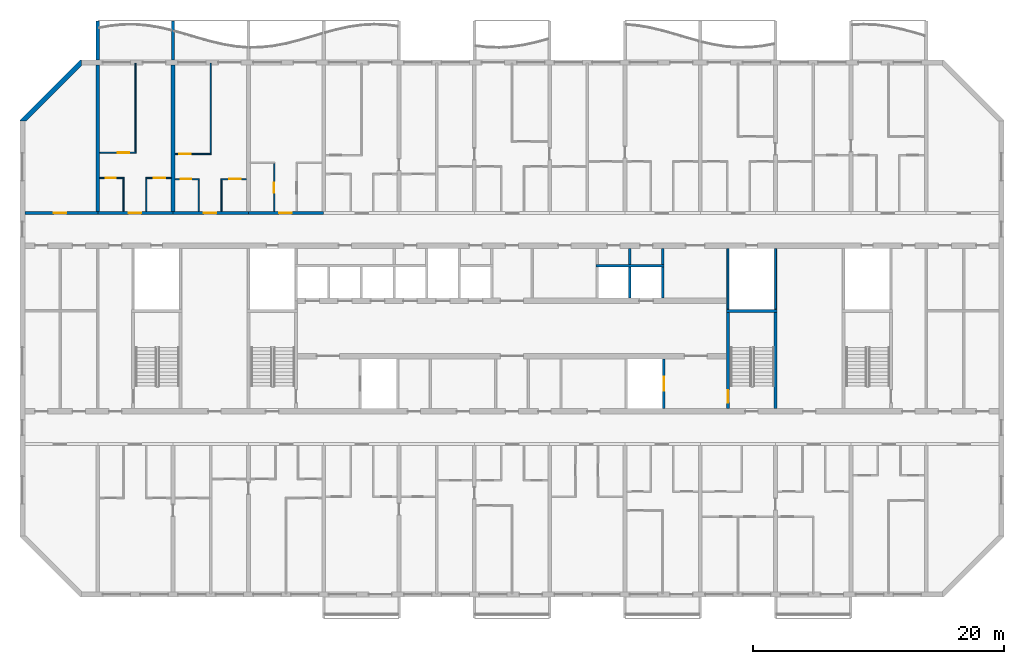
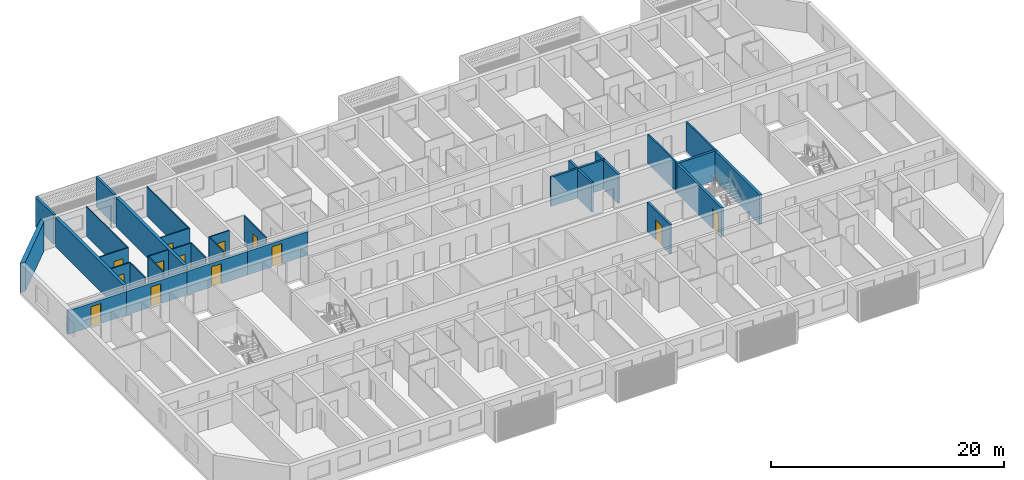
# One storey, part 8 of 32: 33 walls, 13 doors, 13 openings.
"""IFC4 building model written with IfcOpenShell, lengths in metres."""

from ifc_helpers import new_model, si_unit, direction, frame, frame_2d, origin, place, context, subcontext, project, spatial, polyline, rectangle, outline, extrude, source, transform, mapped, material, layer, layer_set, type_object, element, fill, save


model = new_model("IFC4")

# Units and contexts
model_context = context("Model", 3, precision=1e-05, world=origin(), true_north=direction((0.0, 1.0)))
body_context = subcontext(model_context, "Body", "Model", "MODEL_VIEW")
ifc_project = project(units=[si_unit("LENGTHUNIT", "METRE"), si_unit("AREAUNIT", "SQUARE_METRE"), si_unit("VOLUMEUNIT", "CUBIC_METRE"), si_unit("PLANEANGLEUNIT", "RADIAN"), si_unit("MASSUNIT", "GRAM", prefix="KILO")], contexts=[model_context])

# Site, building, storey
site_placement = place(None, origin())
site = spatial("IfcSite", under=ifc_project, at=site_placement, CompositionType="ELEMENT")
building_placement = place(site_placement, origin())
building = spatial("IfcBuilding", under=site, at=building_placement, Name="Poui Terraces", CompositionType="ELEMENT")
storey_placement = place(building_placement, frame((0.0, 0.0, 125.699951171875)))
storey = spatial("IfcBuildingStorey", under=building, at=storey_placement, Name="L34", CompositionType="ELEMENT", Elevation=125.699951171875)

# Wall, opening, door
ifc_material_1 = material(Name="Concrete 65 MPa", Category="concrete")
ifc_layer_1 = layer(ifc_material_1, 0.25)
ifc_layer_set_1 = layer_set([ifc_layer_1], Name="Concrete 65 MPa")
wall_type_1 = type_object("IfcWallType", Name="CORRIDOR WALL 250 65MPa", PredefinedType="SHEAR", material=ifc_layer_set_1)
wall_1_placement = place(storey_placement, frame((12.199951171875, 30.39990234375, 0.0), z_axis=(0.0, 0.0, 1.0), x_axis=(1.0, 0.0, 0.0)))
wall_1 = element("IfcWall", 1, at=wall_1_placement, inside=storey, type_object=wall_type_1, Name="CORRIDOR WALL LINE E BAY 1", PredefinedType="SHEAR", context=body_context, shape_type="SweptSolid", body=[
    extrude(rectangle(XDim=5.800048828125, YDim=0.25, at=frame_2d((2.89990234375, 0.0))), origin(), (0.0, 0.0, 1.0), 2.469970703125),
])
opening_1_placement = place(wall_1_placement, frame((2.300048828125, 0.0, 0.0)))
opening_1 = element("IfcOpeningElement", 2, at=opening_1_placement, cuts=wall_1, Name="Opening D100", PredefinedType="OPENING", context=body_context, shape_type="SweptSolid", body=[
    extrude(rectangle(XDim=1.0, YDim=2.10009765625, at=frame_2d((0.5, 1.050048828125))), frame((0.0, 0.135009765625, 0.0), z_axis=(0.0, -1.0, 0.0), x_axis=(1.0, 0.0, 0.0)), (0.0, 0.0, 1.0), 0.27001953125),
])
ifc_material_2 = material(Name="Solid core timber door", Category="wood")
door_type_1 = type_object("IfcDoorType", Name="ACCESSIBLE INTERNAL DOOR 1000 X 2100", OperationType="NOTDEFINED", PredefinedType="DOOR", material=ifc_material_2)
door_1_placement = place(opening_1_placement, origin())
door_1 = element("IfcDoor", 3, at=door_1_placement, inside=storey, type_object=door_type_1, Name="ACCESSIBLE INTERNAL DOOR 034", OperationType="SINGLE_SWING_LEFT", OverallHeight=2.10009765625, OverallWidth=1.0, PredefinedType="DOOR", context=body_context, shape_type="SweptSolid", body=[
    extrude(rectangle(XDim=1.0, YDim=2.10009765625, at=frame_2d((0.5, 1.050048828125))), frame((0.0, 0.02490234375, 0.0), z_axis=(0.0, -1.0, 0.0), x_axis=(1.0, 0.0, 0.0)), (0.0, 0.0, 1.0), 0.050048828125),
])
fill(opening_1, door_1)

wall_2_placement = place(storey_placement, frame((18.0, 30.39990234375, 0.0), z_axis=(0.0, 0.0, 1.0), x_axis=(1.0, 0.0, 0.0)))
wall_2 = element("IfcWall", 4, at=wall_2_placement, inside=storey, type_object=wall_type_1, Name="CORRIDOR WALL LINE E BAY 2", PredefinedType="SHEAR", context=body_context, shape_type="SweptSolid", body=[
    extrude(rectangle(XDim=6.0, YDim=0.25, at=frame_2d((3.0, 0.0))), origin(), (0.0, 0.0, 1.0), 2.469970703125),
])
opening_2_placement = place(wall_2_placement, frame((2.449951171875, 0.0, 0.0)))
opening_2 = element("IfcOpeningElement", 5, at=opening_2_placement, cuts=wall_2, Name="Opening FD30S", PredefinedType="OPENING", context=body_context, shape_type="SweptSolid", body=[
    extrude(rectangle(XDim=1.0, YDim=2.10009765625, at=frame_2d((0.5, 1.050048828125))), frame((0.0, 0.135009765625, 0.0), z_axis=(0.0, -1.0, 0.0), x_axis=(1.0, 0.0, 0.0)), (0.0, 0.0, 1.0), 0.27001953125),
])
ifc_material_3 = material(Name="Steel fire door", Category="steel")
door_type_2 = type_object("IfcDoorType", Name="FLAT ENTRANCE DOOR 1000 X 2100", OperationType="NOTDEFINED", PredefinedType="DOOR", material=ifc_material_3)
door_2_placement = place(opening_2_placement, origin())
door_2 = element("IfcDoor", 6, at=door_2_placement, inside=storey, type_object=door_type_2, Name="FLAT ENTRANCE DOOR 037", OperationType="SINGLE_SWING_LEFT", OverallHeight=2.10009765625, OverallWidth=1.0, PredefinedType="DOOR", context=body_context, shape_type="SweptSolid", body=[
    extrude(rectangle(XDim=1.0, YDim=2.10009765625, at=frame_2d((0.5, 1.050048828125))), frame((0.0, 0.02490234375, 0.0), z_axis=(0.0, -1.0, 0.0), x_axis=(1.0, 0.0, 0.0)), (0.0, 0.0, 1.0), 0.050048828125),
])
fill(opening_2, door_2)

wall_3_placement = place(storey_placement, frame((24.0, 30.39990234375, 0.0), z_axis=(0.0, 0.0, 1.0), x_axis=(1.0, 0.0, 0.0)))
wall_3 = element("IfcWall", 7, at=wall_3_placement, inside=storey, type_object=wall_type_1, Name="CORRIDOR WALL LINE E BAY 3", PredefinedType="SHEAR", context=body_context, shape_type="SweptSolid", body=[
    extrude(rectangle(XDim=6.0, YDim=0.25, at=frame_2d((3.0, 0.0))), origin(), (0.0, 0.0, 1.0), 2.469970703125),
])
opening_3_placement = place(wall_3_placement, frame((2.449951171875, 0.0, 0.0)))
opening_3 = element("IfcOpeningElement", 8, at=opening_3_placement, cuts=wall_3, Name="Opening FD30S", PredefinedType="OPENING", context=body_context, shape_type="SweptSolid", body=[
    extrude(rectangle(XDim=1.0, YDim=2.10009765625, at=frame_2d((0.5, 1.050048828125))), frame((0.0, 0.135009765625, 0.0), z_axis=(0.0, -1.0, 0.0), x_axis=(1.0, 0.0, 0.0)), (0.0, 0.0, 1.0), 0.27001953125),
])
door_3_placement = place(opening_3_placement, origin())
door_3 = element("IfcDoor", 9, at=door_3_placement, inside=storey, type_object=door_type_2, Name="FLAT ENTRANCE DOOR 041", OperationType="SINGLE_SWING_LEFT", OverallHeight=2.10009765625, OverallWidth=1.0, PredefinedType="DOOR", context=body_context, shape_type="SweptSolid", body=[
    extrude(rectangle(XDim=1.0, YDim=2.10009765625, at=frame_2d((0.5, 1.050048828125))), frame((0.0, 0.02490234375, 0.0), z_axis=(0.0, -1.0, 0.0), x_axis=(1.0, 0.0, 0.0)), (0.0, 0.0, 1.0), 0.050048828125),
])
fill(opening_3, door_3)

wall_4_placement = place(storey_placement, frame((30.0, 30.39990234375, 0.0), z_axis=(0.0, 0.0, 1.0), x_axis=(1.0, 0.0, 0.0)))
wall_4 = element("IfcWall", 10, at=wall_4_placement, inside=storey, type_object=wall_type_1, Name="CORRIDOR WALL LINE E BAY 4", PredefinedType="SHEAR", context=body_context, shape_type="SweptSolid", body=[
    extrude(rectangle(XDim=6.0, YDim=0.25, at=frame_2d((3.0, 0.0))), origin(), (0.0, 0.0, 1.0), 2.469970703125),
])
opening_4_placement = place(wall_4_placement, frame((2.449951171875, 0.0, 0.0)))
opening_4 = element("IfcOpeningElement", 11, at=opening_4_placement, cuts=wall_4, Name="Opening FD30S", PredefinedType="OPENING", context=body_context, shape_type="SweptSolid", body=[
    extrude(rectangle(XDim=1.0, YDim=2.10009765625, at=frame_2d((0.5, 1.050048828125))), frame((0.0, 0.135009765625, 0.0), z_axis=(0.0, -1.0, 0.0), x_axis=(1.0, 0.0, 0.0)), (0.0, 0.0, 1.0), 0.27001953125),
])
door_4_placement = place(opening_4_placement, origin())
door_4 = element("IfcDoor", 12, at=door_4_placement, inside=storey, type_object=door_type_2, Name="FLAT ENTRANCE DOOR 044", OperationType="SINGLE_SWING_LEFT", OverallHeight=2.10009765625, OverallWidth=1.0, PredefinedType="DOOR", context=body_context, shape_type="SweptSolid", body=[
    extrude(rectangle(XDim=1.0, YDim=2.10009765625, at=frame_2d((0.5, 1.050048828125))), frame((0.0, 0.02490234375, 0.0), z_axis=(0.0, -1.0, 0.0), x_axis=(1.0, 0.0, 0.0)), (0.0, 0.0, 1.0), 0.050048828125),
])
fill(opening_4, door_4)

# Walls
ifc_layer_2 = layer(ifc_material_1, 0.300048828125)
ifc_layer_set_2 = layer_set([ifc_layer_2], Name="Concrete 65 MPa")
wall_type_2 = type_object("IfcWallType", Name="CROSS WALL 300 65MPa", PredefinedType="SHEAR", material=ifc_layer_set_2)
for number, where, z_axis, x_axis, name in (
    (13, (18.0, 30.52490234375, 0.0), (0.0, 0.0, 1.0), (0.0, 1.0, 0.0), "CROSS WALL LINE 4 NORTH"),
    (14, (24.0, 30.52490234375, 0.0), (0.0, 0.0, 1.0), (0.0, 1.0, 0.0), "CROSS WALL LINE 5 NORTH"),
):
    element("IfcWall", number, at=place(storey_placement, frame(where, z_axis=z_axis, x_axis=x_axis)), inside=storey, type_object=wall_type_2, Name=name, PredefinedType="SHEAR", context=body_context, shape_type="SweptSolid", body=[
        extrude(rectangle(XDim=11.675048828125, YDim=0.300048828125, at=frame_2d((5.83740234375, 0.0))), origin(), (0.0, 0.0, 1.0), 3.070068359375),
    ])

# Wall, opening, door
ifc_material_4 = material(Name="Plasterboard partition")
ifc_layer_3 = layer(ifc_material_4, 0.10009765625)
ifc_layer_set_3 = layer_set([ifc_layer_3], Name="Plasterboard partition")
wall_type_3 = type_object("IfcWallType", Name="FLAT PARTITION 100", PredefinedType="PARTITIONING", material=ifc_layer_set_3)
wall_5_placement = place(storey_placement, frame((24.159912109375, 33.10009765625, 0.0), z_axis=(0.0, 0.0, 1.0), x_axis=(1.0, 0.0, 0.0)))
wall_5 = element("IfcWall", 15, at=wall_5_placement, inside=storey, type_object=wall_type_3, Name="FLAT PARTITION 100", PredefinedType="PARTITIONING", context=body_context, shape_type="SweptSolid", body=[
    extrude(rectangle(XDim=1.940185546875, YDim=0.10009765625, at=frame_2d((0.97021484375, 0.0))), origin(), (0.0, 0.0, 1.0), 3.070068359375),
])
opening_5_placement = place(wall_5_placement, frame((0.465087890625, 0.0, 0.0)))
opening_5 = element("IfcOpeningElement", 16, at=opening_5_placement, cuts=wall_5, Name="Opening D80", PredefinedType="OPENING", context=body_context, shape_type="SweptSolid", body=[
    extrude(rectangle(XDim=0.800048828125, YDim=2.10009765625, at=frame_2d((0.39990234375, 1.050048828125))), frame((0.0, 0.06005859375, 0.0), z_axis=(0.0, -1.0, 0.0), x_axis=(1.0, 0.0, 0.0)), (0.0, 0.0, 1.0), 0.1201171875),
])
door_type_3 = type_object("IfcDoorType", Name="BATHROOM, LAUNDRY AND STORE DOOR 800 X 2100", OperationType="NOTDEFINED", PredefinedType="DOOR", material=ifc_material_2)
door_5_placement = place(opening_5_placement, frame((0.800048828125, 0.0, 0.0), z_axis=(0.0, 0.0, 1.0), x_axis=(-1.0, 0.0, 0.0)))
door_5 = element("IfcDoor", 17, at=door_5_placement, inside=storey, type_object=door_type_3, Name="BATHROOM, LAUNDRY AND STORE DOOR 040", OperationType="SINGLE_SWING_RIGHT", OverallHeight=2.10009765625, OverallWidth=0.800048828125, PredefinedType="DOOR", context=body_context, shape_type="SweptSolid", body=[
    extrude(rectangle(XDim=0.800048828125, YDim=2.10009765625, at=frame_2d((0.39990234375, 1.050048828125))), frame((0.0, 0.02490234375, 0.0), z_axis=(0.0, -1.0, 0.0), x_axis=(1.0, 0.0, 0.0)), (0.0, 0.0, 1.0), 0.050048828125),
])
fill(opening_5, door_5)

wall_6_placement = place(storey_placement, frame((27.800048828125, 33.10009765625, 0.0), z_axis=(0.0, 0.0, 1.0), x_axis=(1.0, 0.0, 0.0)))
wall_6 = element("IfcWall", 18, at=wall_6_placement, inside=storey, type_object=wall_type_3, Name="FLAT PARTITION 100", PredefinedType="PARTITIONING", context=body_context, shape_type="SweptSolid", body=[
    extrude(rectangle(XDim=2.0400390625, YDim=0.10009765625, at=frame_2d((1.02001953125, 0.0))), origin(), (0.0, 0.0, 1.0), 3.070068359375),
])
opening_6_placement = place(wall_6_placement, frame((0.675048828125, 0.0, 0.0)))
opening_6 = element("IfcOpeningElement", 19, at=opening_6_placement, cuts=wall_6, Name="Opening D90", PredefinedType="OPENING", context=body_context, shape_type="SweptSolid", body=[
    extrude(rectangle(XDim=0.89990234375, YDim=2.10009765625, at=frame_2d((0.449951171875, 1.050048828125))), frame((0.0, 0.06005859375, 0.0), z_axis=(0.0, -1.0, 0.0), x_axis=(1.0, 0.0, 0.0)), (0.0, 0.0, 1.0), 0.1201171875),
])
door_type_4 = type_object("IfcDoorType", Name="INTERNAL DOOR 900 X 2100", OperationType="NOTDEFINED", PredefinedType="DOOR", material=ifc_material_2)
door_6_placement = place(opening_6_placement, frame((0.89990234375, 0.0, 0.0), z_axis=(0.0, 0.0, 1.0), x_axis=(-1.0, 0.0, 0.0)))
door_6 = element("IfcDoor", 20, at=door_6_placement, inside=storey, type_object=door_type_4, Name="INTERNAL DOOR 042", OperationType="SINGLE_SWING_LEFT", OverallHeight=2.10009765625, OverallWidth=0.89990234375, PredefinedType="DOOR", context=body_context, shape_type="SweptSolid", body=[
    extrude(rectangle(XDim=0.89990234375, YDim=2.10009765625, at=frame_2d((0.449951171875, 1.050048828125))), frame((0.0, 0.02490234375, 0.0), z_axis=(0.0, -1.0, 0.0), x_axis=(1.0, 0.0, 0.0)), (0.0, 0.0, 1.0), 0.050048828125),
])
fill(opening_6, door_6)

wall_7_placement = place(storey_placement, frame((18.159912109375, 33.199951171875, 0.0), z_axis=(0.0, 0.0, 1.0), x_axis=(1.0, 0.0, 0.0)))
wall_7 = element("IfcWall", 21, at=wall_7_placement, inside=storey, type_object=wall_type_3, Name="FLAT PARTITION 100", PredefinedType="PARTITIONING", context=body_context, shape_type="SweptSolid", body=[
    extrude(rectangle(XDim=1.940185546875, YDim=0.10009765625, at=frame_2d((0.97021484375, 0.0))), origin(), (0.0, 0.0, 1.0), 3.070068359375),
])
opening_7_placement = place(wall_7_placement, frame((0.465087890625, 0.0, 0.0)))
opening_7 = element("IfcOpeningElement", 22, at=opening_7_placement, cuts=wall_7, Name="Opening D80", PredefinedType="OPENING", context=body_context, shape_type="SweptSolid", body=[
    extrude(rectangle(XDim=0.800048828125, YDim=2.10009765625, at=frame_2d((0.39990234375, 1.050048828125))), frame((0.0, 0.06005859375, 0.0), z_axis=(0.0, -1.0, 0.0), x_axis=(1.0, 0.0, 0.0)), (0.0, 0.0, 1.0), 0.1201171875),
])
door_7_placement = place(opening_7_placement, frame((0.800048828125, 0.0, 0.0), z_axis=(0.0, 0.0, 1.0), x_axis=(-1.0, 0.0, 0.0)))
door_7 = element("IfcDoor", 23, at=door_7_placement, inside=storey, type_object=door_type_3, Name="BATHROOM, LAUNDRY AND STORE DOOR 035", OperationType="SINGLE_SWING_LEFT", OverallHeight=2.10009765625, OverallWidth=0.800048828125, PredefinedType="DOOR", context=body_context, shape_type="SweptSolid", body=[
    extrude(rectangle(XDim=0.800048828125, YDim=2.10009765625, at=frame_2d((0.39990234375, 1.050048828125))), frame((0.0, 0.02490234375, 0.0), z_axis=(0.0, -1.0, 0.0), x_axis=(1.0, 0.0, 0.0)), (0.0, 0.0, 1.0), 0.050048828125),
])
fill(opening_7, door_7)

wall_8_placement = place(storey_placement, frame((21.800048828125, 33.199951171875, 0.0), z_axis=(0.0, 0.0, 1.0), x_axis=(1.0, 0.0, 0.0)))
wall_8 = element("IfcWall", 24, at=wall_8_placement, inside=storey, type_object=wall_type_3, Name="FLAT PARTITION 100", PredefinedType="PARTITIONING", context=body_context, shape_type="SweptSolid", body=[
    extrude(rectangle(XDim=2.0400390625, YDim=0.10009765625, at=frame_2d((1.02001953125, 0.0))), origin(), (0.0, 0.0, 1.0), 3.070068359375),
])
opening_8_placement = place(wall_8_placement, frame((0.675048828125, 0.0, 0.0)))
opening_8 = element("IfcOpeningElement", 25, at=opening_8_placement, cuts=wall_8, Name="Opening D90", PredefinedType="OPENING", context=body_context, shape_type="SweptSolid", body=[
    extrude(rectangle(XDim=0.89990234375, YDim=2.10009765625, at=frame_2d((0.449951171875, 1.050048828125))), frame((0.0, 0.06005859375, 0.0), z_axis=(0.0, -1.0, 0.0), x_axis=(1.0, 0.0, 0.0)), (0.0, 0.0, 1.0), 0.1201171875),
])
door_8_placement = place(opening_8_placement, frame((0.89990234375, 0.0, 0.0), z_axis=(0.0, 0.0, 1.0), x_axis=(-1.0, 0.0, 0.0)))
door_8 = element("IfcDoor", 26, at=door_8_placement, inside=storey, type_object=door_type_4, Name="INTERNAL DOOR 038", OperationType="SINGLE_SWING_RIGHT", OverallHeight=2.10009765625, OverallWidth=0.89990234375, PredefinedType="DOOR", context=body_context, shape_type="SweptSolid", body=[
    extrude(rectangle(XDim=0.89990234375, YDim=2.10009765625, at=frame_2d((0.449951171875, 1.050048828125))), frame((0.0, 0.02490234375, 0.0), z_axis=(0.0, -1.0, 0.0), x_axis=(1.0, 0.0, 0.0)), (0.0, 0.0, 1.0), 0.050048828125),
])
fill(opening_8, door_8)

wall_9_placement = place(storey_placement, frame((24.159912109375, 35.10009765625, 0.0), z_axis=(0.0, 0.0, 1.0), x_axis=(1.0, 0.0, 0.0)))
wall_9 = element("IfcWall", 27, at=wall_9_placement, inside=storey, type_object=wall_type_3, Name="FLAT PARTITION 100", PredefinedType="PARTITIONING", context=body_context, shape_type="SweptSolid", body=[
    extrude(rectangle(XDim=2.89013671875, YDim=0.10009765625, at=frame_2d((1.445068359375, 0.0))), origin(), (0.0, 0.0, 1.0), 3.070068359375),
])
opening_9_placement = place(wall_9_placement, frame((0.340087890625, 0.0, 0.0)))
opening_9 = element("IfcOpeningElement", 28, at=opening_9_placement, cuts=wall_9, Name="Opening D90", PredefinedType="OPENING", context=body_context, shape_type="SweptSolid", body=[
    extrude(rectangle(XDim=0.89990234375, YDim=2.10009765625, at=frame_2d((0.449951171875, 1.050048828125))), frame((0.0, 0.06005859375, 0.0), z_axis=(0.0, -1.0, 0.0), x_axis=(1.0, 0.0, 0.0)), (0.0, 0.0, 1.0), 0.1201171875),
])
door_9_placement = place(opening_9_placement, frame((0.89990234375, 0.0, 0.0), z_axis=(0.0, 0.0, 1.0), x_axis=(-1.0, 0.0, 0.0)))
door_9 = element("IfcDoor", 29, at=door_9_placement, inside=storey, type_object=door_type_4, Name="INTERNAL DOOR 039", OperationType="SINGLE_SWING_LEFT", OverallHeight=2.10009765625, OverallWidth=0.89990234375, PredefinedType="DOOR", context=body_context, shape_type="SweptSolid", body=[
    extrude(rectangle(XDim=0.89990234375, YDim=2.10009765625, at=frame_2d((0.449951171875, 1.050048828125))), frame((0.0, 0.02490234375, 0.0), z_axis=(0.0, -1.0, 0.0), x_axis=(1.0, 0.0, 0.0)), (0.0, 0.0, 1.0), 0.050048828125),
])
fill(opening_9, door_9)

wall_10_placement = place(storey_placement, frame((18.159912109375, 35.199951171875, 0.0), z_axis=(0.0, 0.0, 1.0), x_axis=(1.0, 0.0, 0.0)))
wall_10 = element("IfcWall", 30, at=wall_10_placement, inside=storey, type_object=wall_type_3, Name="FLAT PARTITION 100", PredefinedType="PARTITIONING", context=body_context, shape_type="SweptSolid", body=[
    extrude(rectangle(XDim=2.89013671875, YDim=0.10009765625, at=frame_2d((1.445068359375, 0.0))), origin(), (0.0, 0.0, 1.0), 3.070068359375),
])
opening_10_placement = place(wall_10_placement, frame((1.43994140625, 0.0, 0.0)))
opening_10 = element("IfcOpeningElement", 31, at=opening_10_placement, cuts=wall_10, Name="Opening D90", PredefinedType="OPENING", context=body_context, shape_type="SweptSolid", body=[
    extrude(rectangle(XDim=0.89990234375, YDim=2.10009765625, at=frame_2d((0.449951171875, 1.050048828125))), frame((0.0, 0.06005859375, 0.0), z_axis=(0.0, -1.0, 0.0), x_axis=(1.0, 0.0, 0.0)), (0.0, 0.0, 1.0), 0.1201171875),
])
door_10_placement = place(opening_10_placement, frame((0.89990234375, 0.0, 0.0), z_axis=(0.0, 0.0, 1.0), x_axis=(-1.0, 0.0, 0.0)))
door_10 = element("IfcDoor", 32, at=door_10_placement, inside=storey, type_object=door_type_4, Name="INTERNAL DOOR 036", OperationType="SINGLE_SWING_RIGHT", OverallHeight=2.10009765625, OverallWidth=0.89990234375, PredefinedType="DOOR", context=body_context, shape_type="SweptSolid", body=[
    extrude(rectangle(XDim=0.89990234375, YDim=2.10009765625, at=frame_2d((0.449951171875, 1.050048828125))), frame((0.0, 0.02490234375, 0.0), z_axis=(0.0, -1.0, 0.0), x_axis=(1.0, 0.0, 0.0)), (0.0, 0.0, 1.0), 0.050048828125),
])
fill(opening_10, door_10)

# Walls
wall_11_placement = place(storey_placement, frame((20.050048828125, 30.534912109375, 0.0), z_axis=(0.0, 0.0, 1.0), x_axis=(0.0, 1.0, 0.0)))
element("IfcWall", 33, at=wall_11_placement, inside=storey, type_object=wall_type_3, Name="FLAT PARTITION 100", PredefinedType="PARTITIONING", context=body_context, shape_type="SweptSolid", body=[
    extrude(rectangle(XDim=2.614990234375, YDim=0.10009765625, at=frame_2d((1.3076171875, 0.0))), origin(), (0.0, 0.0, 1.0), 3.070068359375),
])
wall_12_placement = place(storey_placement, frame((21.0, 35.25, 0.0), z_axis=(0.0, 0.0, 1.0), x_axis=(0.0, 1.0, 0.0)))
element("IfcWall", 34, at=wall_12_placement, inside=storey, type_object=wall_type_3, Name="FLAT PARTITION 100", PredefinedType="PARTITIONING", context=body_context, shape_type="SweptSolid", body=[
    extrude(rectangle(XDim=7.090087890625, YDim=0.10009765625, at=frame_2d((3.544921875, 0.0))), origin(), (0.0, 0.0, 1.0), 3.070068359375),
])
wall_13_placement = place(storey_placement, frame((21.85009765625, 30.534912109375, 0.0), z_axis=(0.0, 0.0, 1.0), x_axis=(0.0, 1.0, 0.0)))
element("IfcWall", 35, at=wall_13_placement, inside=storey, type_object=wall_type_3, Name="FLAT PARTITION 100", PredefinedType="PARTITIONING", context=body_context, shape_type="SweptSolid", body=[
    extrude(rectangle(XDim=2.614990234375, YDim=0.10009765625, at=frame_2d((1.3076171875, 0.0))), origin(), (0.0, 0.0, 1.0), 3.070068359375),
])
wall_14_placement = place(storey_placement, frame((26.050048828125, 30.534912109375, 0.0), z_axis=(0.0, 0.0, 1.0), x_axis=(0.0, 1.0, 0.0)))
element("IfcWall", 36, at=wall_14_placement, inside=storey, type_object=wall_type_3, Name="FLAT PARTITION 100", PredefinedType="PARTITIONING", context=body_context, shape_type="SweptSolid", body=[
    extrude(rectangle(XDim=2.51513671875, YDim=0.10009765625, at=frame_2d((1.257568359375, 0.0))), origin(), (0.0, 0.0, 1.0), 3.070068359375),
])
wall_15_placement = place(storey_placement, frame((27.0, 35.14990234375, 0.0), z_axis=(0.0, 0.0, 1.0), x_axis=(0.0, 1.0, 0.0)))
element("IfcWall", 37, at=wall_15_placement, inside=storey, type_object=wall_type_3, Name="FLAT PARTITION 100", PredefinedType="PARTITIONING", context=body_context, shape_type="SweptSolid", body=[
    extrude(rectangle(XDim=7.190185546875, YDim=0.10009765625, at=frame_2d((3.59521484375, 0.0))), origin(), (0.0, 0.0, 1.0), 3.070068359375),
])
wall_16_placement = place(storey_placement, frame((27.85009765625, 30.534912109375, 0.0), z_axis=(0.0, 0.0, 1.0), x_axis=(0.0, 1.0, 0.0)))
element("IfcWall", 38, at=wall_16_placement, inside=storey, type_object=wall_type_3, Name="FLAT PARTITION 100", PredefinedType="PARTITIONING", context=body_context, shape_type="SweptSolid", body=[
    extrude(rectangle(XDim=2.51513671875, YDim=0.10009765625, at=frame_2d((1.257568359375, 0.0))), origin(), (0.0, 0.0, 1.0), 3.070068359375),
])

# Wall, opening, door
wall_17_placement = place(storey_placement, frame((32.050048828125, 30.534912109375, 0.0), z_axis=(0.0, 0.0, 1.0), x_axis=(0.0, 1.0, 0.0)))
wall_17 = element("IfcWall", 39, at=wall_17_placement, inside=storey, type_object=wall_type_3, Name="FLAT PARTITION 100", PredefinedType="PARTITIONING", context=body_context, shape_type="SweptSolid", body=[
    extrude(rectangle(XDim=3.815185546875, YDim=0.10009765625, at=frame_2d((1.90771484375, 0.0))), origin(), (0.0, 0.0, 1.0), 3.070068359375),
])
opening_11_placement = place(wall_17_placement, frame((1.465087890625, 0.0, 0.0)))
opening_11 = element("IfcOpeningElement", 40, at=opening_11_placement, cuts=wall_17, Name="Opening D80", PredefinedType="OPENING", context=body_context, shape_type="SweptSolid", body=[
    extrude(rectangle(XDim=0.800048828125, YDim=2.10009765625, at=frame_2d((0.39990234375, 1.050048828125))), frame((0.0, 0.06005859375, 0.0), z_axis=(0.0, -1.0, 0.0), x_axis=(1.0, 0.0, 0.0)), (0.0, 0.0, 1.0), 0.1201171875),
])
door_11_placement = place(opening_11_placement, origin())
door_11 = element("IfcDoor", 41, at=door_11_placement, inside=storey, type_object=door_type_3, Name="BATHROOM, LAUNDRY AND STORE DOOR 043", OperationType="SINGLE_SWING_LEFT", OverallHeight=2.10009765625, OverallWidth=0.800048828125, PredefinedType="DOOR", context=body_context, shape_type="SweptSolid", body=[
    extrude(rectangle(XDim=0.800048828125, YDim=2.10009765625, at=frame_2d((0.39990234375, 1.050048828125))), frame((0.0, 0.02490234375, 0.0), z_axis=(0.0, -1.0, 0.0), x_axis=(1.0, 0.0, 0.0)), (0.0, 0.0, 1.0), 0.050048828125),
])
fill(opening_11, door_11)

# Walls
ifc_material_5 = material(Name="Fire-rated masonry wall", Category="masonry")
ifc_layer_4 = layer(ifc_material_5, 0.199951171875)
ifc_layer_set_4 = layer_set([ifc_layer_4], Name="Fire-rated masonry wall")
wall_type_4 = type_object("IfcWallType", Name="PLANT ROOM WALL 200", PredefinedType="PARTITIONING", material=ifc_layer_set_4)
for number, where, z_axis, x_axis, name in (
    (42, (60.39990234375, 26.300048828125, 0.0), (0.0, 0.0, 1.0), (0.0, 1.0, 0.0), "PLANT ROOM WALL 200"),
    (43, (63.0, 26.300048828125, 0.0), (0.0, 0.0, 1.0), (0.0, 1.0, 0.0), "PLANT ROOM WALL 200"),
):
    element("IfcWall", number, at=place(storey_placement, frame(where, z_axis=z_axis, x_axis=x_axis)), inside=storey, type_object=wall_type_4, Name=name, PredefinedType="PARTITIONING", context=body_context, shape_type="SweptSolid", body=[
        extrude(rectangle(XDim=1.264892578125, YDim=0.199951171875, at=frame_2d((0.63232421875, 0.0))), origin(), (0.0, 0.0, 1.0), 3.070068359375),
    ])
ifc_material_6 = material(Name="Fire-rated plasterboard riser wall")
ifc_layer_5 = layer(ifc_material_6, 0.14990234375)
ifc_layer_set_5 = layer_set([ifc_layer_5], Name="Fire-rated plasterboard riser wall")
wall_type_5 = type_object("IfcWallType", Name="RISER WALL 150", PredefinedType="PARTITIONING", material=ifc_layer_set_5)
for number, where, z_axis, x_axis, name in (
    (44, (68.199951171875, 22.735107421875, 0.0), (0.0, 0.0, 1.0), (0.0, 1.0, 0.0), "RISER WALL 150"),
    (45, (72.0, 22.735107421875, 0.0), (0.0, 0.0, 1.0), (0.0, 1.0, 0.0), "RISER WALL 150"),
):
    element("IfcWall", number, at=place(storey_placement, frame(where, z_axis=z_axis, x_axis=x_axis)), inside=storey, type_object=wall_type_5, Name=name, PredefinedType="PARTITIONING", context=body_context, shape_type="SweptSolid", body=[
        extrude(rectangle(XDim=4.829833984375, YDim=0.14990234375, at=frame_2d((2.4150390625, 0.0))), origin(), (0.0, 0.0, 1.0), 3.070068359375),
    ])
ifc_material_7 = material(Name="Fire-rated masonry shaft wall", Category="masonry")
ifc_layer_6 = layer(ifc_material_7, 0.199951171875)
ifc_layer_set_6 = layer_set([ifc_layer_6], Name="Fire-rated masonry shaft wall")
wall_type_6 = type_object("IfcWallType", Name="SHAFT WALL 200", PredefinedType="PARTITIONING", material=ifc_layer_set_6)
wall_18_placement = place(storey_placement, frame((57.699951171875, 26.199951171875, 0.0), z_axis=(0.0, 0.0, 1.0), x_axis=(1.0, 0.0, 0.0)))
element("IfcWall", 46, at=wall_18_placement, inside=storey, type_object=wall_type_6, Name="SHAFT WALL 200", PredefinedType="PARTITIONING", context=body_context, shape_type="SweptSolid", body=[
    extrude(rectangle(XDim=5.400146484375, YDim=0.199951171875, at=frame_2d((2.7001953125, 0.0))), origin(), (0.0, 0.0, 1.0), 3.070068359375),
])
for number, where, z_axis, x_axis, name in (
    (47, (60.39990234375, 23.635009765625, 0.0), (0.0, 0.0, 1.0), (0.0, 1.0, 0.0), "SHAFT WALL 200"),
    (48, (63.0, 23.635009765625, 0.0), (0.0, 0.0, 1.0), (0.0, 1.0, 0.0), "SHAFT WALL 200"),
):
    element("IfcWall", number, at=place(storey_placement, frame(where, z_axis=z_axis, x_axis=x_axis)), inside=storey, type_object=wall_type_6, Name=name, PredefinedType="PARTITIONING", context=body_context, shape_type="SweptSolid", body=[
        extrude(rectangle(XDim=2.465087890625, YDim=0.199951171875, at=frame_2d((1.232421875, 0.0))), origin(), (0.0, 0.0, 1.0), 3.070068359375),
    ])

# Wall, opening, door
wall_19_placement = place(storey_placement, frame((63.10009765625, 14.8349609375, 0.0), z_axis=(0.0, 0.0, 1.0), x_axis=(0.0, 1.0, 0.0)))
wall_19 = element("IfcWall", 49, at=wall_19_placement, inside=storey, type_object=wall_type_6, Name="SHAFT WALL 200", PredefinedType="PARTITIONING", context=body_context, shape_type="SweptSolid", body=[
    extrude(rectangle(XDim=3.929931640625, YDim=0.199951171875, at=frame_2d((1.96484375, 0.0))), origin(), (0.0, 0.0, 1.0), 3.070068359375),
])
opening_12_placement = place(wall_19_placement, frame((1.4150390625, 0.0, 0.0)))
opening_12 = element("IfcOpeningElement", 50, at=opening_12_placement, cuts=wall_19, Name="Opening LD", PredefinedType="OPENING", context=body_context, shape_type="SweptSolid", body=[
    extrude(rectangle(XDim=1.10009765625, YDim=2.10009765625, at=frame_2d((0.550048828125, 1.050048828125))), frame((0.0, 0.10986328125, 0.0), z_axis=(0.0, -1.0, 0.0), x_axis=(1.0, 0.0, 0.0)), (0.0, 0.0, 1.0), 0.219970703125),
])
ifc_material_8 = material(Name="Stainless steel sliding door", Category="steel")
door_type_5 = type_object("IfcDoorType", Name="LIFT LANDING DOOR 1100 X 2100", OperationType="DOUBLE_DOOR_SLIDING", PredefinedType="DOOR", material=ifc_material_8)
door_12_placement = place(opening_12_placement, origin())
door_12 = element("IfcDoor", 51, at=door_12_placement, inside=storey, type_object=door_type_5, Name="LANDING DOOR", OperationType="DOUBLE_DOOR_SLIDING", OverallHeight=2.10009765625, OverallWidth=1.10009765625, PredefinedType="DOOR", context=body_context, shape_type="SweptSolid", body=[
    extrude(rectangle(XDim=1.10009765625, YDim=2.10009765625, at=frame_2d((0.550048828125, 1.050048828125))), frame((0.0, 0.02490234375, 0.0), z_axis=(0.0, -1.0, 0.0), x_axis=(1.0, 0.0, 0.0)), (0.0, 0.0, 1.0), 0.050048828125),
])
fill(opening_12, door_12)

ifc_layer_7 = layer(ifc_material_1, 0.25)
ifc_layer_set_7 = layer_set([ifc_layer_7], Name="Concrete 65 MPa")
wall_type_7 = type_object("IfcWallType", Name="STAIR CORE WALL 250 65 MPA", PredefinedType="SOLIDWALL", material=ifc_layer_set_7)
wall_20_placement = place(storey_placement, frame((68.199951171875, 14.824951171875, 0.0), z_axis=(0.0, 0.0, 1.0), x_axis=(0.0, 1.0, 0.0)))
wall_20 = element("IfcWall", 52, at=wall_20_placement, inside=storey, type_object=wall_type_7, Name="STAIR CORE WALL", PredefinedType="SOLIDWALL", context=body_context, shape_type="SweptSolid", body=[
    extrude(rectangle(XDim=7.650146484375, YDim=0.25, at=frame_2d((3.8251953125, 0.0))), origin(), (0.0, 0.0, 1.0), 3.070068359375),
])
opening_13_placement = place(wall_20_placement, frame((0.47509765625, 0.0, 0.0)))
opening_13 = element("IfcOpeningElement", 53, at=opening_13_placement, cuts=wall_20, Name="Opening FD60S", PredefinedType="OPENING", context=body_context, shape_type="SweptSolid", body=[
    extrude(rectangle(XDim=1.0, YDim=2.10009765625, at=frame_2d((0.5, 1.050048828125))), frame((0.0, 0.135009765625, 0.0), z_axis=(0.0, -1.0, 0.0), x_axis=(1.0, 0.0, 0.0)), (0.0, 0.0, 1.0), 0.27001953125),
])
door_type_6 = type_object("IfcDoorType", Name="STAIR DOOR 1000 X 2100", OperationType="NOTDEFINED", PredefinedType="DOOR", material=ifc_material_3)
door_13_placement = place(opening_13_placement, frame((1.0, 0.0, 0.0), z_axis=(0.0, 0.0, 1.0), x_axis=(-1.0, 0.0, 0.0)))
door_13 = element("IfcDoor", 54, at=door_13_placement, inside=storey, type_object=door_type_6, Name="STAIR DOOR 122", OperationType="SINGLE_SWING_LEFT", OverallHeight=2.10009765625, OverallWidth=1.0, PredefinedType="DOOR", context=body_context, shape_type="SweptSolid", body=[
    extrude(rectangle(XDim=1.0, YDim=2.10009765625, at=frame_2d((0.5, 1.050048828125))), frame((0.0, 0.02490234375, 0.0), z_axis=(0.0, -1.0, 0.0), x_axis=(1.0, 0.0, 0.0)), (0.0, 0.0, 1.0), 0.050048828125),
])
fill(opening_13, door_13)

# Walls
wall_21_placement = place(storey_placement, frame((72.0, 14.824951171875, 0.0), z_axis=(0.0, 0.0, 1.0), x_axis=(0.0, 1.0, 0.0)))
element("IfcWall", 55, at=wall_21_placement, inside=storey, type_object=wall_type_7, Name="STAIR CORE WALL", PredefinedType="SOLIDWALL", context=body_context, shape_type="SweptSolid", body=[
    extrude(rectangle(XDim=7.650146484375, YDim=0.25, at=frame_2d((3.8251953125, 0.0))), origin(), (0.0, 0.0, 1.0), 3.070068359375),
])
wall_22_placement = place(storey_placement, frame((68.074951171875, 22.60009765625, 0.0), z_axis=(0.0, 0.0, 1.0), x_axis=(1.0, 0.0, 0.0)))
element("IfcWall", 56, at=wall_22_placement, inside=storey, type_object=wall_type_7, Name="STAIR CORE WALL", PredefinedType="SOLIDWALL", context=body_context, shape_type="SweptSolid", body=[
    extrude(rectangle(XDim=4.050048828125, YDim=0.25, at=frame_2d((2.02490234375, 0.0))), origin(), (0.0, 0.0, 1.0), 3.070068359375),
])
ifc_material_9 = material(Name="Precast concrete 40 MPa", Category="concrete")
ifc_layer_8 = layer(ifc_material_9, 0.39990234375)
ifc_layer_set_8 = layer_set([ifc_layer_8], Name="Precast concrete 40 MPa")
wall_type_8 = type_object("IfcWallType", Name="TERRACOTTA CLAD CHAMFER WALL 400", PredefinedType="STANDARD", material=ifc_layer_set_8)
wall_23_placement = place(storey_placement, origin())
element("IfcWall", 57, at=wall_23_placement, inside=storey, type_object=wall_type_8, Name="CHAMFER WALL CH05", PredefinedType="STANDARD", context=body_context, shape_type="SweptSolid", body=[
    extrude(outline(polyline([(16.682861328125, 42.60009765625), (16.60009765625, 42.60009765625), (11.800048828125, 37.800048828125), (11.800048828125, 37.71728515625), (12.28271484375, 37.71728515625), (16.682861328125, 42.1171875), (16.682861328125, 42.60009765625)])), origin(), (0.0, 0.0, 1.0), 3.070068359375),
])
ifc_layer_9 = layer(ifc_material_9, 0.25)
ifc_layer_set_9 = layer_set([ifc_layer_9], Name="Precast concrete 40 MPa")
wall_type_9 = type_object("IfcWallType", Name="BALCONY FIN 250", PredefinedType="STANDARD", material=ifc_layer_set_9)
shared_shape = source(origin(), body_context, "Body", "SweptSolid", [
    extrude(outline(polyline([(0.0, 0.0), (0.25, 0.0), (0.25, 3.099853515625), (0.0, 3.099853515625), (0.0, 0.0)])), origin(), (0.0, 0.0, 1.0), 3.10009765625),
])
for number, where, name in (
    (58, (17.875, 42.60009765625, 0.0), "BALCONY FIN"),
    (59, (23.875, 42.60009765625, 0.0), "BALCONY FIN"),
):
    element("IfcWall", number, at=place(storey_placement, frame(where)), inside=storey, type_object=wall_type_9, Name=name, PredefinedType="STANDARD", context=body_context, shape_type="MappedRepresentation", body=[
        mapped(shared_shape, transform((0.0, 0.0, 0.0))),
    ])

save(model, "model.ifc")
